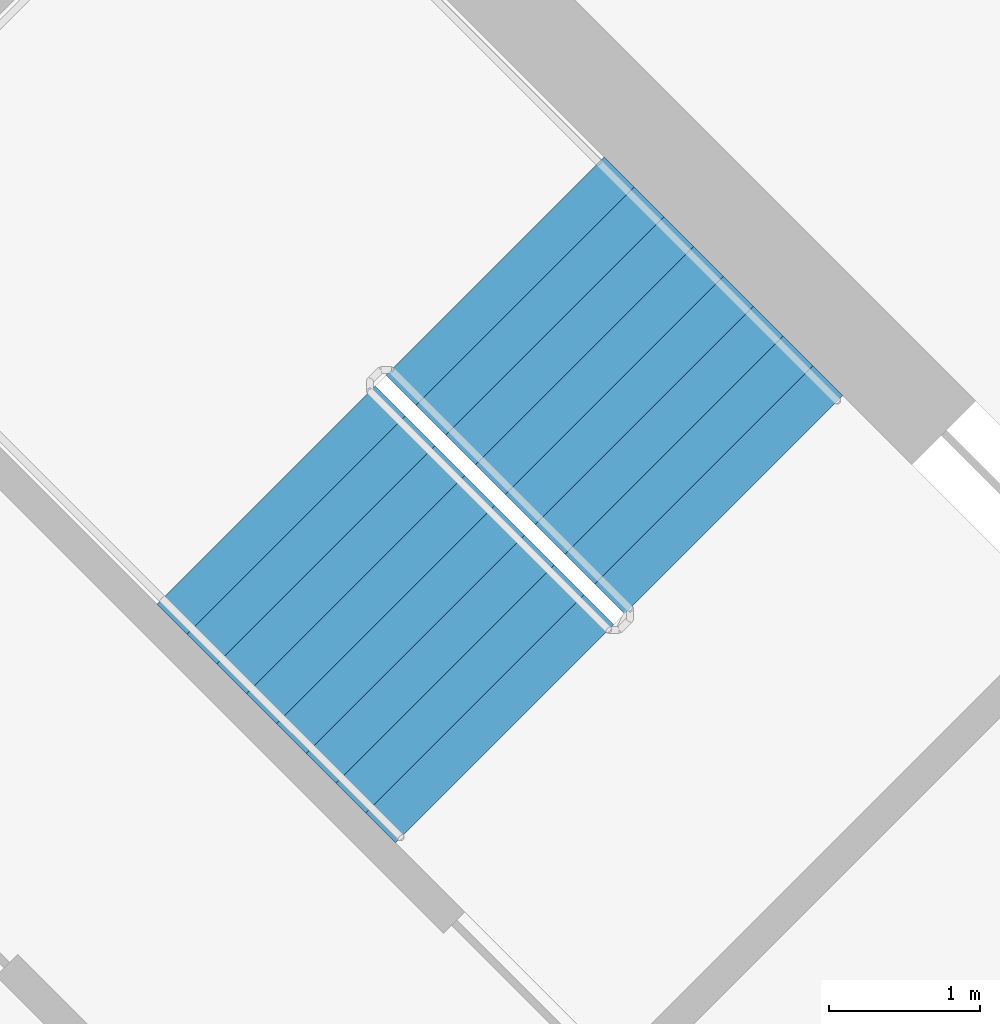
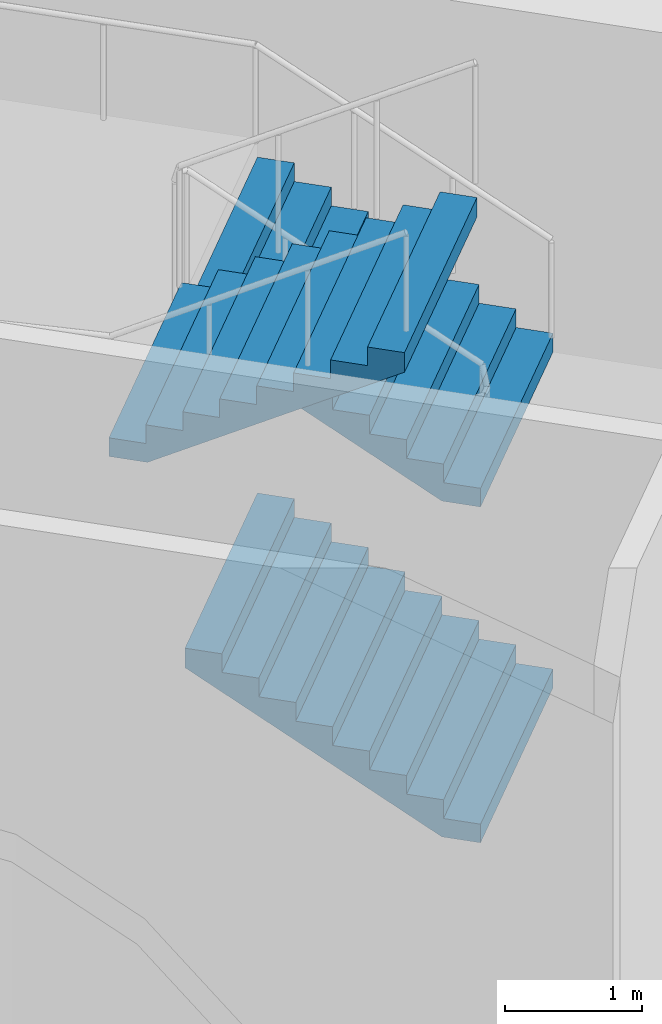
# One storey, part 14 of 16: 3 stair flights, 1 element without a shape of its own.
"""IFC4 building model written with IfcOpenShell, lengths in metres."""

import ifcopenshell
import ifcopenshell.guid

model = None  # the IFC model being written
_history = None  # IfcOwnerHistory: only IFC2X3 demands one
_inside = {}  # id of a spatial element -> (the spatial element, [elements in it])
_under = {}  # id of a project, library or spatial element -> (it, [spatial elements below it])
_declared = {}  # id of a project -> (the project, [libraries it declares])
_typed = {}  # id of a type object -> (the type object, [elements of that type])
_made_of = {}  # id of a material, layer set ... -> (it, [elements and type objects made of it])


def new_model(schema):
    """Start an empty IFC model of exactly this schema.

    Asked for "IFC4X3", IfcOpenShell would pick the latest addendum, in which some entities
    have other attributes; the version numbers below select the first issue.
    IFC2X3 requires an IfcOwnerHistory on every rooted entity: one is made here for all.
    """
    global model, _history
    if schema == "IFC4X3":
        model = ifcopenshell.file(schema_version=(4, 3, 0, 0))
    else:
        model = ifcopenshell.file(schema=schema)
    _inside.clear()
    _under.clear()
    _declared.clear()
    _typed.clear()
    _made_of.clear()
    _history = None
    if model.schema == "IFC2X3":
        org = make("IfcOrganization", Name="unknown")
        user = make(
            "IfcPersonAndOrganization",
            ThePerson=make("IfcPerson", FamilyName="unknown"),
            TheOrganization=org,
        )
        app = make(
            "IfcApplication",
            ApplicationDeveloper=org,
            Version="unknown",
            ApplicationFullName="unknown",
            ApplicationIdentifier="unknown",
        )
        _history = make(
            "IfcOwnerHistory",
            OwningUser=user,
            OwningApplication=app,
            ChangeAction="ADDED",
            CreationDate=0,
        )
    return model


def make(cls, **values):
    """One entity of the class cls with the attributes given. An attribute that is None is left unset."""
    return model.create_entity(
        cls, **{name: value for name, value in values.items() if value is not None}
    )


def rooted(cls, **values):
    """An entity with a GlobalId (a new one), such as an element, a storey or a relation."""
    return make(cls, GlobalId=ifcopenshell.guid.new(), OwnerHistory=_history, **values)


def si_unit(unit_type, name, prefix=None):
    """IfcSIUnit, for example si_unit("LENGTHUNIT", "METRE", prefix="MILLI")."""
    return make("IfcSIUnit", UnitType=unit_type, Prefix=prefix, Name=name)


def assignment(units):
    """IfcUnitAssignment: the units of a project."""
    return None if units is None else make("IfcUnitAssignment", Units=units)


def point(xyz):
    """IfcCartesianPoint."""
    return None if xyz is None else make("IfcCartesianPoint", Coordinates=xyz)


def direction(xyz):
    """IfcDirection."""
    return None if xyz is None else make("IfcDirection", DirectionRatios=xyz)


def frame(location, z_axis=None, x_axis=None):
    """IfcAxis2Placement3D, a coordinate frame: its origin and axes. An axis left out is left unset."""
    return make(
        "IfcAxis2Placement3D",
        Location=point(location),
        Axis=direction(z_axis),
        RefDirection=direction(x_axis),
    )


def origin():
    """The frame at (0, 0, 0) with its axes left unset."""
    return frame((0.0, 0.0, 0.0))


def place(relative_to, where):
    """IfcLocalPlacement: puts the frame where relative to a parent placement (None: the world)."""
    return make(
        "IfcLocalPlacement", PlacementRelTo=relative_to, RelativePlacement=where
    )


def context(
    kind, dimensions, precision=None, world=None, true_north=None, identifier=None
):
    """IfcGeometricRepresentationContext, for example the 3D "Model" context."""
    return make(
        "IfcGeometricRepresentationContext",
        ContextIdentifier=identifier,
        ContextType=kind,
        CoordinateSpaceDimension=dimensions,
        Precision=precision,
        WorldCoordinateSystem=world,
        TrueNorth=true_north,
    )


def subcontext(parent, identifier, kind, view, scale=None):
    """IfcGeometricRepresentationSubContext, for example "Body" below "Model"."""
    return make(
        "IfcGeometricRepresentationSubContext",
        ContextIdentifier=identifier,
        ContextType=kind,
        ParentContext=parent,
        TargetScale=scale,
        TargetView=view,
    )


def project(units=None, contexts=None):
    """IfcProject with its units and contexts."""
    return rooted(
        "IfcProject",
        Name="project",
        RepresentationContexts=contexts,
        UnitsInContext=assignment(units),
    )


def spatial(cls, under=None, at=None, **own):
    """A site, building, storey or space (cls), placed at a placement, below another one or the project."""
    s = rooted(cls, ObjectPlacement=at, **own)
    if under is not None:
        _under.setdefault(under.id(), (under, []))[1].append(s)
    return s


def point_list(points):
    """IfcCartesianPointList2D or 3D."""
    cls = (
        "IfcCartesianPointList2D" if len(points[0]) == 2 else "IfcCartesianPointList3D"
    )
    return make(cls, CoordList=points)


def triangles(points, corners, closed=None, point_numbers=None):
    """IfcTriangulatedFaceSet: each triangle names its three corners, points numbered from 1."""
    return make(
        "IfcTriangulatedFaceSet",
        Coordinates=point_list(points),
        Closed=closed,
        CoordIndex=corners,
        PnIndex=point_numbers,
    )


def shape(context_of_items, identifier, shape_type, items):
    """IfcShapeRepresentation: the items that make up one representation, for example the "Body"."""
    return make(
        "IfcShapeRepresentation",
        ContextOfItems=context_of_items,
        RepresentationIdentifier=identifier,
        RepresentationType=shape_type,
        Items=items,
    )


def material(Name=None, Category=None):
    """IfcMaterial."""
    return make("IfcMaterial", Name=Name, Category=Category)


def made_of(thing, what):
    """Note that an element or type object is made of a material, layer set ...; save() writes the relation."""
    if what is not None:
        _made_of.setdefault(what.id(), (what, []))[1].append(thing)
    return thing


def type_object(cls, material=None, **own):
    """A type object (cls), such as IfcWallType, which elements share."""
    return made_of(rooted(cls, **own), material)


def element(
    cls,
    number,
    at=None,
    inside=None,
    cuts=None,
    type_object=None,
    material=None,
    context=None,
    identifier="Body",
    shape_type=None,
    held_by="IfcProductDefinitionShape",
    body=None,
    shapes=None,
    **own,
):
    """One element of the class cls, such as IfcWall. Its Tag is "e" and its number.

    at: its placement. inside: the storey or other place that contains it. cuts: it is an
    opening in that element (IfcRelVoidsElement). A single representation is given by context,
    identifier, shape_type and body (its items); several are given by shapes. held_by: the class
    of the entity that holds the representations. save() writes the other relations.
    """
    e = rooted(cls, Tag="e%d" % number, ObjectPlacement=at, **own)
    if body is not None:
        shapes = [shape(context, identifier, shape_type, body)]
    if shapes is not None:
        e.Representation = make(held_by, Representations=shapes)
    if inside is not None:
        _inside.setdefault(inside.id(), (inside, []))[1].append(e)
    if cuts is not None:
        rooted(
            "IfcRelVoidsElement", RelatingBuildingElement=cuts, RelatedOpeningElement=e
        )
    if type_object is not None:
        _typed.setdefault(type_object.id(), (type_object, []))[1].append(e)
    return made_of(e, material)


def aggregate(whole, parts):
    """IfcRelAggregates: a whole, such as a stair, and the parts it consists of."""
    return rooted("IfcRelAggregates", RelatingObject=whole, RelatedObjects=parts)


def save(model, path):
    """Write the relations noted so far, then the file.

    IfcRelAggregates (storeys below a building ...), IfcRelContainedInSpatialStructure (elements
    in a storey), IfcRelDefinesByType, IfcRelAssociatesMaterial and IfcRelDeclares: one each for
    every whole, place, type object, material and project.
    """
    for whole, parts in _under.values():
        aggregate(whole, parts)
    for where, things in _inside.values():
        rooted(
            "IfcRelContainedInSpatialStructure",
            RelatedElements=things,
            RelatingStructure=where,
        )
    for kind, things in _typed.values():
        rooted("IfcRelDefinesByType", RelatedObjects=things, RelatingType=kind)
    for what, things in _made_of.values():
        rooted("IfcRelAssociatesMaterial", RelatedObjects=things, RelatingMaterial=what)
    for by, libraries in _declared.values():
        rooted("IfcRelDeclares", RelatingContext=by, RelatedDefinitions=libraries)
    model.write(path)


model = new_model("IFC4")

# Units and contexts
model_context = context("Model", 3, precision=1e-05, world=origin(), true_north=direction((0.0, 1.0)))
body_context = subcontext(model_context, "Body", "Model", "MODEL_VIEW")
ifc_project = project(units=[si_unit("LENGTHUNIT", "METRE"), si_unit("AREAUNIT", "SQUARE_METRE"), si_unit("VOLUMEUNIT", "CUBIC_METRE"), si_unit("PLANEANGLEUNIT", "RADIAN"), si_unit("MASSUNIT", "GRAM", prefix="KILO")], contexts=[model_context])

# Site, building, storey
site_placement = place(None, origin())
site = spatial("IfcSite", under=ifc_project, at=site_placement, CompositionType="ELEMENT")
building_placement = place(site_placement, origin())
building = spatial("IfcBuilding", under=site, at=building_placement, Name="Verdalira Terraces Hotel", CompositionType="ELEMENT")
storey_placement = place(building_placement, frame((0.0, 0.0, 216.0)))
storey = spatial("IfcBuildingStorey", under=building, at=storey_placement, Name="L53", CompositionType="ELEMENT", Elevation=216.0)

# Stair, stair flights
ifc_material_1 = material(Name="Concrete C40", Category="concrete")
stair_type = type_object("IfcStairType", Name="Core stair 36 risers 2050 mm wide", PredefinedType="HALF_TURN_STAIR", material=ifc_material_1)
stair_placement = place(storey_placement, origin())
stair = element("IfcStair", 1, at=stair_placement, inside=storey, type_object=stair_type, Name="L53 Exit stair ST1", PredefinedType="HALF_TURN_STAIR")
ifc_material_2 = material(Name="Concrete C40", Category="concrete")
stair_flight_type = type_object("IfcStairFlightType", Name="Core stair flight 36 risers 2050 mm wide", PredefinedType="STRAIGHT", material=ifc_material_2)
stair_flight_1_placement = place(storey_placement, frame((10.058594, 7.442383, 0.0), z_axis=(0.0, 0.0, 1.0), x_axis=(-0.707106781, 0.707106781, 0.0)))
stair_flight_1 = element("IfcStairFlight", 2, at=stair_flight_1_placement, type_object=stair_flight_type, Name="ST1 flight 1", NumberOfRisers=9, NumberOfTreads=8, PredefinedType="STRAIGHT", RiserHeight=0.166666667, TreadLength=0.28, context=body_context, shape_type="Tessellation", body=[
    triangles([(0.0, 1.025024, 0.0), (0.292969, 1.025024, 0.0), (2.23999, 1.025024, 1.158936), (0.0, -1.025024, 0.0), (0.292969, -1.025024, 0.0), (2.23999, -1.025024, 1.158936), (2.23999, 1.025024, 1.333252), (1.959961, 1.025024, 1.333252), (2.23999, -1.025024, 1.333252), (1.959961, -1.025024, 1.333252), (1.959961, 1.025024, 1.166748), (1.959961, -1.025024, 1.166748), (1.679932, 1.025024, 1.166748), (1.679932, -1.025024, 1.166748), (1.679932, 1.025024, 1.0), (1.679932, -1.025024, 1.0), (1.399902, 1.025024, 1.0), (1.399902, 1.025024, 0.833252), (1.399902, -1.025024, 1.0), (1.399902, -1.025024, 0.833252), (1.120117, 1.025024, 0.833252), (1.120117, 1.025024, 0.666748), (1.120117, -1.025024, 0.833252), (1.120117, -1.025024, 0.666748), (0.840088, 1.025024, 0.666748), (0.840088, 1.025024, 0.5), (0.840088, -1.025024, 0.666748), (0.840088, -1.025024, 0.5), (0.560059, 1.025024, 0.5), (0.560059, 1.025024, 0.333252), (0.560059, -1.025024, 0.5), (0.560059, -1.025024, 0.333252), (0.280029, 1.025024, 0.333252), (0.280029, 1.025024, 0.166748), (0.280029, -1.025024, 0.333252), (0.280029, -1.025024, 0.166748), (0.0, 1.025024, 0.166748), (0.0, -1.025024, 0.166748), (0.0, -0.96096, 0.0), (0.0, -0.96096, 0.166748), (0.0, -0.896896, 0.0), (0.0, -0.896896, 0.166748), (0.0, -0.832832, 0.0), (0.0, -0.832832, 0.166748), (0.0, -0.768768, 0.0), (0.0, -0.768768, 0.166748), (0.0, -0.704704, 0.0), (0.0, -0.704704, 0.166748), (0.0, -0.64064, 0.0), (0.0, -0.64064, 0.166748), (0.0, -0.576576, 0.0), (0.0, -0.576576, 0.166748), (0.0, -0.512512, 0.0), (0.0, -0.512512, 0.166748), (0.0, -0.448448, 0.0), (0.0, -0.448448, 0.166748), (0.0, -0.384384, 0.0), (0.0, -0.384384, 0.166748), (0.0, -0.32032, 0.0), (0.0, -0.32032, 0.166748), (0.0, -0.256256, 0.0), (0.0, -0.256256, 0.166748), (0.0, -0.192192, 0.0), (0.0, -0.192192, 0.166748), (0.0, -0.128128, 0.0), (0.0, -0.128128, 0.166748), (0.0, -0.064064, 0.0), (0.0, -0.064064, 0.166748), (0.0, 0.0, 0.0), (0.0, 0.0, 0.166748), (0.0, 0.064064, 0.0), (0.0, 0.064064, 0.166748), (0.0, 0.128128, 0.0), (0.0, 0.128128, 0.166748), (0.0, 0.192192, 0.0), (0.0, 0.192192, 0.166748), (0.0, 0.256256, 0.0), (0.0, 0.256256, 0.166748), (0.0, 0.32032, 0.0), (0.0, 0.32032, 0.166748), (0.0, 0.384384, 0.0), (0.0, 0.384384, 0.166748), (0.0, 0.448448, 0.0), (0.0, 0.448448, 0.166748), (0.0, 0.512512, 0.0), (0.0, 0.512512, 0.166748), (0.0, 0.576576, 0.0), (0.0, 0.576576, 0.166748), (0.0, 0.64064, 0.0), (0.0, 0.64064, 0.166748), (0.0, 0.704704, 0.0), (0.0, 0.704704, 0.166748), (0.0, 0.768768, 0.0), (0.0, 0.768768, 0.166748), (0.0, 0.832832, 0.0), (0.0, 0.832832, 0.166748), (0.0, 0.896896, 0.0), (0.0, 0.896896, 0.166748), (0.0, 0.96096, 0.0), (0.0, 0.96096, 0.166748), (2.23999, -0.96096, 1.333252), (2.23999, -0.896896, 1.333252), (2.23999, -0.832832, 1.333252), (2.23999, -0.768768, 1.333252), (2.23999, -0.704704, 1.333252), (2.23999, -0.64064, 1.333252), (2.23999, -0.576576, 1.333252), (2.23999, -0.512512, 1.333252), (2.23999, -0.448448, 1.333252), (2.23999, -0.384384, 1.333252), (2.23999, -0.32032, 1.333252), (2.23999, -0.256256, 1.333252), (2.23999, -0.192192, 1.333252), (2.23999, -0.128128, 1.333252), (2.23999, -0.064064, 1.333252), (2.23999, 0.0, 1.333252), (2.23999, 0.064064, 1.333252), (2.23999, 0.128128, 1.333252), (2.23999, 0.192192, 1.333252), (2.23999, 0.256256, 1.333252), (2.23999, 0.32032, 1.333252), (2.23999, 0.384384, 1.333252), (2.23999, 0.448448, 1.333252), (2.23999, 0.512512, 1.333252), (2.23999, 0.576576, 1.333252), (2.23999, 0.64064, 1.333252), (2.23999, 0.704704, 1.333252), (2.23999, 0.768768, 1.333252), (2.23999, 0.832832, 1.333252), (2.23999, 0.896896, 1.333252), (2.23999, 0.96096, 1.333252), (2.23999, -0.96096, 1.158936), (2.23999, -0.896896, 1.158936), (2.23999, -0.832832, 1.158936), (2.23999, -0.768768, 1.158936), (2.23999, -0.704704, 1.158936), (2.23999, -0.64064, 1.158936), (2.23999, -0.576576, 1.158936), (2.23999, -0.512512, 1.158936), (2.23999, -0.448448, 1.158936), (2.23999, -0.384384, 1.158936), (2.23999, -0.32032, 1.158936), (2.23999, -0.256256, 1.158936), (2.23999, -0.192192, 1.158936), (2.23999, -0.128128, 1.158936), (2.23999, -0.064064, 1.158936), (2.23999, 0.0, 1.158936), (2.23999, 0.064064, 1.158936), (2.23999, 0.128128, 1.158936), (2.23999, 0.192192, 1.158936), (2.23999, 0.256256, 1.158936), (2.23999, 0.32032, 1.158936), (2.23999, 0.384384, 1.158936), (2.23999, 0.448448, 1.158936), (2.23999, 0.512512, 1.158936), (2.23999, 0.576576, 1.158936), (2.23999, 0.64064, 1.158936), (2.23999, 0.704704, 1.158936), (2.23999, 0.768768, 1.158936), (2.23999, 0.832832, 1.158936), (2.23999, 0.896896, 1.158936), (2.23999, 0.96096, 1.158936)], [[1, 3, 2], [4, 5, 6], [3, 8, 7], [6, 9, 10], [3, 11, 8], [6, 10, 12], [3, 13, 11], [6, 12, 14], [3, 15, 13], [6, 14, 16], [15, 18, 17], [16, 19, 20], [3, 18, 15], [6, 16, 20], [18, 22, 21], [20, 23, 24], [3, 22, 18], [6, 20, 24], [22, 26, 25], [24, 27, 28], [3, 26, 22], [6, 24, 28], [26, 30, 29], [28, 31, 32], [3, 30, 26], [6, 28, 32], [1, 30, 3], [4, 6, 32], [30, 34, 33], [32, 35, 36], [1, 34, 30], [4, 32, 36], [34, 1, 37], [36, 38, 4], [4, 40, 39], [4, 38, 40], [39, 42, 41], [39, 40, 42], [41, 44, 43], [41, 42, 44], [43, 46, 45], [43, 44, 46], [45, 48, 47], [45, 46, 48], [47, 50, 49], [47, 48, 50], [49, 52, 51], [49, 50, 52], [51, 54, 53], [51, 52, 54], [53, 56, 55], [53, 54, 56], [55, 58, 57], [55, 56, 58], [57, 60, 59], [57, 58, 60], [59, 62, 61], [59, 60, 62], [61, 64, 63], [61, 62, 64], [63, 66, 65], [63, 64, 66], [65, 68, 67], [65, 66, 68], [67, 70, 69], [67, 68, 70], [69, 72, 71], [69, 70, 72], [71, 74, 73], [71, 72, 74], [73, 76, 75], [73, 74, 76], [75, 78, 77], [75, 76, 78], [77, 80, 79], [77, 78, 80], [79, 82, 81], [79, 80, 82], [81, 84, 83], [81, 82, 84], [83, 86, 85], [83, 84, 86], [85, 88, 87], [85, 86, 88], [87, 90, 89], [87, 88, 90], [89, 92, 91], [89, 90, 92], [91, 94, 93], [91, 92, 94], [93, 96, 95], [93, 94, 96], [95, 98, 97], [95, 96, 98], [97, 100, 99], [97, 98, 100], [99, 37, 1], [99, 100, 37], [38, 36, 40], [40, 36, 42], [42, 36, 44], [44, 36, 46], [46, 36, 48], [48, 36, 50], [50, 36, 52], [52, 36, 54], [54, 36, 56], [56, 36, 58], [58, 36, 60], [60, 36, 62], [62, 36, 64], [64, 36, 66], [66, 36, 68], [68, 36, 70], [70, 36, 72], [72, 36, 74], [74, 36, 76], [76, 36, 78], [78, 36, 80], [80, 36, 82], [82, 36, 84], [84, 36, 86], [86, 36, 88], [88, 36, 90], [90, 36, 92], [92, 36, 94], [94, 36, 96], [96, 36, 98], [98, 36, 100], [100, 36, 37], [37, 36, 34], [36, 33, 34], [36, 35, 33], [35, 30, 33], [35, 32, 30], [32, 29, 30], [32, 31, 29], [31, 26, 29], [31, 28, 26], [28, 25, 26], [28, 27, 25], [27, 22, 25], [27, 24, 22], [24, 21, 22], [24, 23, 21], [23, 18, 21], [23, 20, 18], [20, 17, 18], [20, 19, 17], [19, 15, 17], [19, 16, 15], [16, 13, 15], [16, 14, 13], [14, 11, 13], [14, 12, 11], [12, 8, 11], [12, 10, 8], [9, 101, 10], [101, 102, 10], [102, 103, 10], [103, 104, 10], [104, 105, 10], [105, 106, 10], [106, 107, 10], [107, 108, 10], [108, 109, 10], [109, 110, 10], [110, 111, 10], [111, 112, 10], [112, 113, 10], [113, 114, 10], [114, 115, 10], [115, 116, 10], [116, 117, 10], [117, 118, 10], [118, 119, 10], [119, 120, 10], [120, 121, 10], [121, 122, 10], [122, 123, 10], [123, 124, 10], [124, 125, 10], [125, 126, 10], [126, 127, 10], [127, 128, 10], [128, 129, 10], [129, 130, 10], [130, 131, 10], [131, 7, 10], [7, 8, 10], [9, 132, 101], [9, 6, 132], [101, 133, 102], [101, 132, 133], [102, 134, 103], [102, 133, 134], [103, 135, 104], [103, 134, 135], [104, 136, 105], [104, 135, 136], [105, 137, 106], [105, 136, 137], [106, 138, 107], [106, 137, 138], [107, 139, 108], [107, 138, 139], [108, 140, 109], [108, 139, 140], [109, 141, 110], [109, 140, 141], [110, 142, 111], [110, 141, 142], [111, 143, 112], [111, 142, 143], [112, 144, 113], [112, 143, 144], [113, 145, 114], [113, 144, 145], [114, 146, 115], [114, 145, 146], [115, 147, 116], [115, 146, 147], [116, 148, 117], [116, 147, 148], [117, 149, 118], [117, 148, 149], [118, 150, 119], [118, 149, 150], [119, 151, 120], [119, 150, 151], [120, 152, 121], [120, 151, 152], [121, 153, 122], [121, 152, 153], [122, 154, 123], [122, 153, 154], [123, 155, 124], [123, 154, 155], [124, 156, 125], [124, 155, 156], [125, 157, 126], [125, 156, 157], [126, 158, 127], [126, 157, 158], [127, 159, 128], [127, 158, 159], [128, 160, 129], [128, 159, 160], [129, 161, 130], [129, 160, 161], [130, 162, 131], [130, 161, 162], [131, 3, 7], [131, 162, 3], [6, 5, 132], [132, 5, 133], [133, 5, 134], [134, 5, 135], [135, 5, 136], [136, 5, 137], [137, 5, 138], [138, 5, 139], [139, 5, 140], [140, 5, 141], [141, 5, 142], [142, 5, 143], [143, 5, 144], [144, 5, 145], [145, 5, 146], [146, 5, 147], [147, 5, 148], [148, 5, 149], [149, 5, 150], [150, 5, 151], [151, 5, 152], [152, 5, 153], [153, 5, 154], [154, 5, 155], [155, 5, 156], [156, 5, 157], [157, 5, 158], [158, 5, 159], [159, 5, 160], [160, 5, 161], [161, 5, 162], [162, 5, 3], [3, 5, 2], [4, 39, 5], [39, 41, 5], [41, 43, 5], [43, 45, 5], [45, 47, 5], [47, 49, 5], [49, 51, 5], [51, 53, 5], [53, 55, 5], [55, 57, 5], [57, 59, 5], [59, 61, 5], [61, 63, 5], [63, 65, 5], [65, 67, 5], [67, 69, 5], [69, 71, 5], [71, 73, 5], [73, 75, 5], [75, 77, 5], [77, 79, 5], [79, 81, 5], [81, 83, 5], [83, 85, 5], [85, 87, 5], [87, 89, 5], [89, 91, 5], [91, 93, 5], [93, 95, 5], [95, 97, 5], [97, 99, 5], [99, 1, 5], [1, 2, 5]], closed=True),
])
stair_flight_2_placement = place(storey_placement, frame((10.058594, 7.442383, 3.0), z_axis=(0.0, 0.0, 1.0), x_axis=(-0.707106781, 0.707106781, 0.0)))
stair_flight_2 = element("IfcStairFlight", 3, at=stair_flight_2_placement, type_object=stair_flight_type, Name="ST1 flight 3", NumberOfRisers=9, NumberOfTreads=8, PredefinedType="STRAIGHT", RiserHeight=0.166666667, TreadLength=0.28, context=body_context, shape_type="Tessellation", body=[
    triangles([(0.0, 1.025024, 0.0), (0.292969, 1.025024, 0.0), (2.23999, 1.025024, 1.158936), (0.0, -1.025024, 0.0), (0.292969, -1.025024, 0.0), (2.23999, -1.025024, 1.158936), (2.23999, 1.025024, 1.333252), (1.959961, 1.025024, 1.333252), (2.23999, -1.025024, 1.333252), (1.959961, -1.025024, 1.333252), (1.959961, 1.025024, 1.166748), (1.959961, -1.025024, 1.166748), (1.679932, 1.025024, 1.166748), (1.679932, -1.025024, 1.166748), (1.679932, 1.025024, 1.0), (1.679932, -1.025024, 1.0), (1.399902, 1.025024, 1.0), (1.399902, 1.025024, 0.833252), (1.399902, -1.025024, 1.0), (1.399902, -1.025024, 0.833252), (1.120117, 1.025024, 0.833252), (1.120117, 1.025024, 0.666748), (1.120117, -1.025024, 0.833252), (1.120117, -1.025024, 0.666748), (0.840088, 1.025024, 0.666748), (0.840088, 1.025024, 0.5), (0.840088, -1.025024, 0.666748), (0.840088, -1.025024, 0.5), (0.560059, 1.025024, 0.5), (0.560059, 1.025024, 0.333252), (0.560059, -1.025024, 0.5), (0.560059, -1.025024, 0.333252), (0.280029, 1.025024, 0.333252), (0.280029, 1.025024, 0.166748), (0.280029, -1.025024, 0.333252), (0.280029, -1.025024, 0.166748), (0.0, 1.025024, 0.166748), (0.0, -1.025024, 0.166748), (0.0, -0.96096, 0.0), (0.0, -0.96096, 0.166748), (0.0, -0.896896, 0.0), (0.0, -0.896896, 0.166748), (0.0, -0.832832, 0.0), (0.0, -0.832832, 0.166748), (0.0, -0.768768, 0.0), (0.0, -0.768768, 0.166748), (0.0, -0.704704, 0.0), (0.0, -0.704704, 0.166748), (0.0, -0.64064, 0.0), (0.0, -0.64064, 0.166748), (0.0, -0.576576, 0.0), (0.0, -0.576576, 0.166748), (0.0, -0.512512, 0.0), (0.0, -0.512512, 0.166748), (0.0, -0.448448, 0.0), (0.0, -0.448448, 0.166748), (0.0, -0.384384, 0.0), (0.0, -0.384384, 0.166748), (0.0, -0.32032, 0.0), (0.0, -0.32032, 0.166748), (0.0, -0.256256, 0.0), (0.0, -0.256256, 0.166748), (0.0, -0.192192, 0.0), (0.0, -0.192192, 0.166748), (0.0, -0.128128, 0.0), (0.0, -0.128128, 0.166748), (0.0, -0.064064, 0.0), (0.0, -0.064064, 0.166748), (0.0, 0.0, 0.0), (0.0, 0.0, 0.166748), (0.0, 0.064064, 0.0), (0.0, 0.064064, 0.166748), (0.0, 0.128128, 0.0), (0.0, 0.128128, 0.166748), (0.0, 0.192192, 0.0), (0.0, 0.192192, 0.166748), (0.0, 0.256256, 0.0), (0.0, 0.256256, 0.166748), (0.0, 0.32032, 0.0), (0.0, 0.32032, 0.166748), (0.0, 0.384384, 0.0), (0.0, 0.384384, 0.166748), (0.0, 0.448448, 0.0), (0.0, 0.448448, 0.166748), (0.0, 0.512512, 0.0), (0.0, 0.512512, 0.166748), (0.0, 0.576576, 0.0), (0.0, 0.576576, 0.166748), (0.0, 0.64064, 0.0), (0.0, 0.64064, 0.166748), (0.0, 0.704704, 0.0), (0.0, 0.704704, 0.166748), (0.0, 0.768768, 0.0), (0.0, 0.768768, 0.166748), (0.0, 0.832832, 0.0), (0.0, 0.832832, 0.166748), (0.0, 0.896896, 0.0), (0.0, 0.896896, 0.166748), (0.0, 0.96096, 0.0), (0.0, 0.96096, 0.166748), (2.23999, -0.96096, 1.333252), (2.23999, -0.896896, 1.333252), (2.23999, -0.832832, 1.333252), (2.23999, -0.768768, 1.333252), (2.23999, -0.704704, 1.333252), (2.23999, -0.64064, 1.333252), (2.23999, -0.576576, 1.333252), (2.23999, -0.512512, 1.333252), (2.23999, -0.448448, 1.333252), (2.23999, -0.384384, 1.333252), (2.23999, -0.32032, 1.333252), (2.23999, -0.256256, 1.333252), (2.23999, -0.192192, 1.333252), (2.23999, -0.128128, 1.333252), (2.23999, -0.064064, 1.333252), (2.23999, 0.0, 1.333252), (2.23999, 0.064064, 1.333252), (2.23999, 0.128128, 1.333252), (2.23999, 0.192192, 1.333252), (2.23999, 0.256256, 1.333252), (2.23999, 0.32032, 1.333252), (2.23999, 0.384384, 1.333252), (2.23999, 0.448448, 1.333252), (2.23999, 0.512512, 1.333252), (2.23999, 0.576576, 1.333252), (2.23999, 0.64064, 1.333252), (2.23999, 0.704704, 1.333252), (2.23999, 0.768768, 1.333252), (2.23999, 0.832832, 1.333252), (2.23999, 0.896896, 1.333252), (2.23999, 0.96096, 1.333252), (2.23999, -0.96096, 1.158936), (2.23999, -0.896896, 1.158936), (2.23999, -0.832832, 1.158936), (2.23999, -0.768768, 1.158936), (2.23999, -0.704704, 1.158936), (2.23999, -0.64064, 1.158936), (2.23999, -0.576576, 1.158936), (2.23999, -0.512512, 1.158936), (2.23999, -0.448448, 1.158936), (2.23999, -0.384384, 1.158936), (2.23999, -0.32032, 1.158936), (2.23999, -0.256256, 1.158936), (2.23999, -0.192192, 1.158936), (2.23999, -0.128128, 1.158936), (2.23999, -0.064064, 1.158936), (2.23999, 0.0, 1.158936), (2.23999, 0.064064, 1.158936), (2.23999, 0.128128, 1.158936), (2.23999, 0.192192, 1.158936), (2.23999, 0.256256, 1.158936), (2.23999, 0.32032, 1.158936), (2.23999, 0.384384, 1.158936), (2.23999, 0.448448, 1.158936), (2.23999, 0.512512, 1.158936), (2.23999, 0.576576, 1.158936), (2.23999, 0.64064, 1.158936), (2.23999, 0.704704, 1.158936), (2.23999, 0.768768, 1.158936), (2.23999, 0.832832, 1.158936), (2.23999, 0.896896, 1.158936), (2.23999, 0.96096, 1.158936)], [[1, 3, 2], [4, 5, 6], [3, 8, 7], [6, 9, 10], [3, 11, 8], [6, 10, 12], [3, 13, 11], [6, 12, 14], [3, 15, 13], [6, 14, 16], [15, 18, 17], [16, 19, 20], [3, 18, 15], [6, 16, 20], [18, 22, 21], [20, 23, 24], [3, 22, 18], [6, 20, 24], [22, 26, 25], [24, 27, 28], [3, 26, 22], [6, 24, 28], [26, 30, 29], [28, 31, 32], [3, 30, 26], [6, 28, 32], [1, 30, 3], [4, 6, 32], [30, 34, 33], [32, 35, 36], [1, 34, 30], [4, 32, 36], [34, 1, 37], [36, 38, 4], [4, 40, 39], [4, 38, 40], [39, 42, 41], [39, 40, 42], [41, 44, 43], [41, 42, 44], [43, 46, 45], [43, 44, 46], [45, 48, 47], [45, 46, 48], [47, 50, 49], [47, 48, 50], [49, 52, 51], [49, 50, 52], [51, 54, 53], [51, 52, 54], [53, 56, 55], [53, 54, 56], [55, 58, 57], [55, 56, 58], [57, 60, 59], [57, 58, 60], [59, 62, 61], [59, 60, 62], [61, 64, 63], [61, 62, 64], [63, 66, 65], [63, 64, 66], [65, 68, 67], [65, 66, 68], [67, 70, 69], [67, 68, 70], [69, 72, 71], [69, 70, 72], [71, 74, 73], [71, 72, 74], [73, 76, 75], [73, 74, 76], [75, 78, 77], [75, 76, 78], [77, 80, 79], [77, 78, 80], [79, 82, 81], [79, 80, 82], [81, 84, 83], [81, 82, 84], [83, 86, 85], [83, 84, 86], [85, 88, 87], [85, 86, 88], [87, 90, 89], [87, 88, 90], [89, 92, 91], [89, 90, 92], [91, 94, 93], [91, 92, 94], [93, 96, 95], [93, 94, 96], [95, 98, 97], [95, 96, 98], [97, 100, 99], [97, 98, 100], [99, 37, 1], [99, 100, 37], [38, 36, 40], [40, 36, 42], [42, 36, 44], [44, 36, 46], [46, 36, 48], [48, 36, 50], [50, 36, 52], [52, 36, 54], [54, 36, 56], [56, 36, 58], [58, 36, 60], [60, 36, 62], [62, 36, 64], [64, 36, 66], [66, 36, 68], [68, 36, 70], [70, 36, 72], [72, 36, 74], [74, 36, 76], [76, 36, 78], [78, 36, 80], [80, 36, 82], [82, 36, 84], [84, 36, 86], [86, 36, 88], [88, 36, 90], [90, 36, 92], [92, 36, 94], [94, 36, 96], [96, 36, 98], [98, 36, 100], [100, 36, 37], [37, 36, 34], [36, 33, 34], [36, 35, 33], [35, 30, 33], [35, 32, 30], [32, 29, 30], [32, 31, 29], [31, 26, 29], [31, 28, 26], [28, 25, 26], [28, 27, 25], [27, 22, 25], [27, 24, 22], [24, 21, 22], [24, 23, 21], [23, 18, 21], [23, 20, 18], [20, 17, 18], [20, 19, 17], [19, 15, 17], [19, 16, 15], [16, 13, 15], [16, 14, 13], [14, 11, 13], [14, 12, 11], [12, 8, 11], [12, 10, 8], [9, 101, 10], [101, 102, 10], [102, 103, 10], [103, 104, 10], [104, 105, 10], [105, 106, 10], [106, 107, 10], [107, 108, 10], [108, 109, 10], [109, 110, 10], [110, 111, 10], [111, 112, 10], [112, 113, 10], [113, 114, 10], [114, 115, 10], [115, 116, 10], [116, 117, 10], [117, 118, 10], [118, 119, 10], [119, 120, 10], [120, 121, 10], [121, 122, 10], [122, 123, 10], [123, 124, 10], [124, 125, 10], [125, 126, 10], [126, 127, 10], [127, 128, 10], [128, 129, 10], [129, 130, 10], [130, 131, 10], [131, 7, 10], [7, 8, 10], [9, 132, 101], [9, 6, 132], [101, 133, 102], [101, 132, 133], [102, 134, 103], [102, 133, 134], [103, 135, 104], [103, 134, 135], [104, 136, 105], [104, 135, 136], [105, 137, 106], [105, 136, 137], [106, 138, 107], [106, 137, 138], [107, 139, 108], [107, 138, 139], [108, 140, 109], [108, 139, 140], [109, 141, 110], [109, 140, 141], [110, 142, 111], [110, 141, 142], [111, 143, 112], [111, 142, 143], [112, 144, 113], [112, 143, 144], [113, 145, 114], [113, 144, 145], [114, 146, 115], [114, 145, 146], [115, 147, 116], [115, 146, 147], [116, 148, 117], [116, 147, 148], [117, 149, 118], [117, 148, 149], [118, 150, 119], [118, 149, 150], [119, 151, 120], [119, 150, 151], [120, 152, 121], [120, 151, 152], [121, 153, 122], [121, 152, 153], [122, 154, 123], [122, 153, 154], [123, 155, 124], [123, 154, 155], [124, 156, 125], [124, 155, 156], [125, 157, 126], [125, 156, 157], [126, 158, 127], [126, 157, 158], [127, 159, 128], [127, 158, 159], [128, 160, 129], [128, 159, 160], [129, 161, 130], [129, 160, 161], [130, 162, 131], [130, 161, 162], [131, 3, 7], [131, 162, 3], [6, 5, 132], [132, 5, 133], [133, 5, 134], [134, 5, 135], [135, 5, 136], [136, 5, 137], [137, 5, 138], [138, 5, 139], [139, 5, 140], [140, 5, 141], [141, 5, 142], [142, 5, 143], [143, 5, 144], [144, 5, 145], [145, 5, 146], [146, 5, 147], [147, 5, 148], [148, 5, 149], [149, 5, 150], [150, 5, 151], [151, 5, 152], [152, 5, 153], [153, 5, 154], [154, 5, 155], [155, 5, 156], [156, 5, 157], [157, 5, 158], [158, 5, 159], [159, 5, 160], [160, 5, 161], [161, 5, 162], [162, 5, 3], [3, 5, 2], [4, 39, 5], [39, 41, 5], [41, 43, 5], [43, 45, 5], [45, 47, 5], [47, 49, 5], [49, 51, 5], [51, 53, 5], [53, 55, 5], [55, 57, 5], [57, 59, 5], [59, 61, 5], [61, 63, 5], [63, 65, 5], [65, 67, 5], [67, 69, 5], [69, 71, 5], [71, 73, 5], [73, 75, 5], [75, 77, 5], [77, 79, 5], [79, 81, 5], [81, 83, 5], [83, 85, 5], [85, 87, 5], [87, 89, 5], [89, 91, 5], [91, 93, 5], [93, 95, 5], [95, 97, 5], [97, 99, 5], [99, 1, 5], [1, 2, 5]], closed=True),
])
stair_flight_3_placement = place(storey_placement, frame((6.954346, 7.505859, 4.5), z_axis=(0.0, 0.0, 1.0), x_axis=(0.707106781, -0.707106781, 0.0)))
stair_flight_3 = element("IfcStairFlight", 4, at=stair_flight_3_placement, type_object=stair_flight_type, Name="ST1 flight 4", NumberOfRisers=9, NumberOfTreads=8, PredefinedType="STRAIGHT", RiserHeight=0.166666667, TreadLength=0.28, context=body_context, shape_type="Tessellation", body=[
    triangles([(0.0, 1.025024, 0.0), (0.292969, 1.025024, 0.0), (2.23999, 1.025024, 1.158936), (0.0, -1.025024, 0.0), (0.292969, -1.025024, 0.0), (2.23999, -1.025024, 1.158936), (2.23999, 1.025024, 1.333252), (1.959961, 1.025024, 1.333252), (2.23999, -1.025024, 1.333252), (1.959961, -1.025024, 1.333252), (1.959961, 1.025024, 1.166748), (1.959961, -1.025024, 1.166748), (1.679932, 1.025024, 1.166748), (1.679932, -1.025024, 1.166748), (1.679932, 1.025024, 1.0), (1.679932, -1.025024, 1.0), (1.399902, 1.025024, 1.0), (1.399902, 1.025024, 0.833252), (1.399902, -1.025024, 1.0), (1.399902, -1.025024, 0.833252), (1.120117, 1.025024, 0.833252), (1.120117, 1.025024, 0.666748), (1.120117, -1.025024, 0.833252), (1.120117, -1.025024, 0.666748), (0.840088, 1.025024, 0.666748), (0.840088, 1.025024, 0.5), (0.840088, -1.025024, 0.666748), (0.840088, -1.025024, 0.5), (0.560059, 1.025024, 0.5), (0.560059, 1.025024, 0.333252), (0.560059, -1.025024, 0.5), (0.560059, -1.025024, 0.333252), (0.280029, 1.025024, 0.333252), (0.280029, 1.025024, 0.166748), (0.280029, -1.025024, 0.333252), (0.280029, -1.025024, 0.166748), (0.0, 1.025024, 0.166748), (0.0, -1.025024, 0.166748), (0.0, -0.96096, 0.0), (0.0, -0.96096, 0.166748), (0.0, -0.896896, 0.0), (0.0, -0.896896, 0.166748), (0.0, -0.832832, 0.0), (0.0, -0.832832, 0.166748), (0.0, -0.768768, 0.0), (0.0, -0.768768, 0.166748), (0.0, -0.704704, 0.0), (0.0, -0.704704, 0.166748), (0.0, -0.64064, 0.0), (0.0, -0.64064, 0.166748), (0.0, -0.576576, 0.0), (0.0, -0.576576, 0.166748), (0.0, -0.512512, 0.0), (0.0, -0.512512, 0.166748), (0.0, -0.448448, 0.0), (0.0, -0.448448, 0.166748), (0.0, -0.384384, 0.0), (0.0, -0.384384, 0.166748), (0.0, -0.32032, 0.0), (0.0, -0.32032, 0.166748), (0.0, -0.256256, 0.0), (0.0, -0.256256, 0.166748), (0.0, -0.192192, 0.0), (0.0, -0.192192, 0.166748), (0.0, -0.128128, 0.0), (0.0, -0.128128, 0.166748), (0.0, -0.064064, 0.0), (0.0, -0.064064, 0.166748), (0.0, 0.0, 0.0), (0.0, 0.0, 0.166748), (0.0, 0.064064, 0.0), (0.0, 0.064064, 0.166748), (0.0, 0.128128, 0.0), (0.0, 0.128128, 0.166748), (0.0, 0.192192, 0.0), (0.0, 0.192192, 0.166748), (0.0, 0.256256, 0.0), (0.0, 0.256256, 0.166748), (0.0, 0.32032, 0.0), (0.0, 0.32032, 0.166748), (0.0, 0.384384, 0.0), (0.0, 0.384384, 0.166748), (0.0, 0.448448, 0.0), (0.0, 0.448448, 0.166748), (0.0, 0.512512, 0.0), (0.0, 0.512512, 0.166748), (0.0, 0.576576, 0.0), (0.0, 0.576576, 0.166748), (0.0, 0.64064, 0.0), (0.0, 0.64064, 0.166748), (0.0, 0.704704, 0.0), (0.0, 0.704704, 0.166748), (0.0, 0.768768, 0.0), (0.0, 0.768768, 0.166748), (0.0, 0.832832, 0.0), (0.0, 0.832832, 0.166748), (0.0, 0.896896, 0.0), (0.0, 0.896896, 0.166748), (0.0, 0.96096, 0.0), (0.0, 0.96096, 0.166748), (2.23999, -0.96096, 1.333252), (2.23999, -0.896896, 1.333252), (2.23999, -0.832832, 1.333252), (2.23999, -0.768768, 1.333252), (2.23999, -0.704704, 1.333252), (2.23999, -0.64064, 1.333252), (2.23999, -0.576576, 1.333252), (2.23999, -0.512512, 1.333252), (2.23999, -0.448448, 1.333252), (2.23999, -0.384384, 1.333252), (2.23999, -0.32032, 1.333252), (2.23999, -0.256256, 1.333252), (2.23999, -0.192192, 1.333252), (2.23999, -0.128128, 1.333252), (2.23999, -0.064064, 1.333252), (2.23999, 0.0, 1.333252), (2.23999, 0.064064, 1.333252), (2.23999, 0.128128, 1.333252), (2.23999, 0.192192, 1.333252), (2.23999, 0.256256, 1.333252), (2.23999, 0.32032, 1.333252), (2.23999, 0.384384, 1.333252), (2.23999, 0.448448, 1.333252), (2.23999, 0.512512, 1.333252), (2.23999, 0.576576, 1.333252), (2.23999, 0.64064, 1.333252), (2.23999, 0.704704, 1.333252), (2.23999, 0.768768, 1.333252), (2.23999, 0.832832, 1.333252), (2.23999, 0.896896, 1.333252), (2.23999, 0.96096, 1.333252), (2.23999, -0.96096, 1.158936), (2.23999, -0.896896, 1.158936), (2.23999, -0.832832, 1.158936), (2.23999, -0.768768, 1.158936), (2.23999, -0.704704, 1.158936), (2.23999, -0.64064, 1.158936), (2.23999, -0.576576, 1.158936), (2.23999, -0.512512, 1.158936), (2.23999, -0.448448, 1.158936), (2.23999, -0.384384, 1.158936), (2.23999, -0.32032, 1.158936), (2.23999, -0.256256, 1.158936), (2.23999, -0.192192, 1.158936), (2.23999, -0.128128, 1.158936), (2.23999, -0.064064, 1.158936), (2.23999, 0.0, 1.158936), (2.23999, 0.064064, 1.158936), (2.23999, 0.128128, 1.158936), (2.23999, 0.192192, 1.158936), (2.23999, 0.256256, 1.158936), (2.23999, 0.32032, 1.158936), (2.23999, 0.384384, 1.158936), (2.23999, 0.448448, 1.158936), (2.23999, 0.512512, 1.158936), (2.23999, 0.576576, 1.158936), (2.23999, 0.64064, 1.158936), (2.23999, 0.704704, 1.158936), (2.23999, 0.768768, 1.158936), (2.23999, 0.832832, 1.158936), (2.23999, 0.896896, 1.158936), (2.23999, 0.96096, 1.158936)], [[1, 3, 2], [4, 5, 6], [3, 8, 7], [6, 9, 10], [3, 11, 8], [6, 10, 12], [3, 13, 11], [6, 12, 14], [3, 15, 13], [6, 14, 16], [15, 18, 17], [16, 19, 20], [3, 18, 15], [6, 16, 20], [18, 22, 21], [20, 23, 24], [3, 22, 18], [6, 20, 24], [22, 26, 25], [24, 27, 28], [3, 26, 22], [6, 24, 28], [26, 30, 29], [28, 31, 32], [3, 30, 26], [6, 28, 32], [1, 30, 3], [4, 6, 32], [30, 34, 33], [32, 35, 36], [1, 34, 30], [4, 32, 36], [34, 1, 37], [36, 38, 4], [4, 40, 39], [4, 38, 40], [39, 42, 41], [39, 40, 42], [41, 44, 43], [41, 42, 44], [43, 46, 45], [43, 44, 46], [45, 48, 47], [45, 46, 48], [47, 50, 49], [47, 48, 50], [49, 52, 51], [49, 50, 52], [51, 54, 53], [51, 52, 54], [53, 56, 55], [53, 54, 56], [55, 58, 57], [55, 56, 58], [57, 60, 59], [57, 58, 60], [59, 62, 61], [59, 60, 62], [61, 64, 63], [61, 62, 64], [63, 66, 65], [63, 64, 66], [65, 68, 67], [65, 66, 68], [67, 70, 69], [67, 68, 70], [69, 72, 71], [69, 70, 72], [71, 74, 73], [71, 72, 74], [73, 76, 75], [73, 74, 76], [75, 78, 77], [75, 76, 78], [77, 80, 79], [77, 78, 80], [79, 82, 81], [79, 80, 82], [81, 84, 83], [81, 82, 84], [83, 86, 85], [83, 84, 86], [85, 88, 87], [85, 86, 88], [87, 90, 89], [87, 88, 90], [89, 92, 91], [89, 90, 92], [91, 94, 93], [91, 92, 94], [93, 96, 95], [93, 94, 96], [95, 98, 97], [95, 96, 98], [97, 100, 99], [97, 98, 100], [99, 37, 1], [99, 100, 37], [38, 36, 40], [40, 36, 42], [42, 36, 44], [44, 36, 46], [46, 36, 48], [48, 36, 50], [50, 36, 52], [52, 36, 54], [54, 36, 56], [56, 36, 58], [58, 36, 60], [60, 36, 62], [62, 36, 64], [64, 36, 66], [66, 36, 68], [68, 36, 70], [70, 36, 72], [72, 36, 74], [74, 36, 76], [76, 36, 78], [78, 36, 80], [80, 36, 82], [82, 36, 84], [84, 36, 86], [86, 36, 88], [88, 36, 90], [90, 36, 92], [92, 36, 94], [94, 36, 96], [96, 36, 98], [98, 36, 100], [100, 36, 37], [37, 36, 34], [36, 33, 34], [36, 35, 33], [35, 30, 33], [35, 32, 30], [32, 29, 30], [32, 31, 29], [31, 26, 29], [31, 28, 26], [28, 25, 26], [28, 27, 25], [27, 22, 25], [27, 24, 22], [24, 21, 22], [24, 23, 21], [23, 18, 21], [23, 20, 18], [20, 17, 18], [20, 19, 17], [19, 15, 17], [19, 16, 15], [16, 13, 15], [16, 14, 13], [14, 11, 13], [14, 12, 11], [12, 8, 11], [12, 10, 8], [9, 101, 10], [101, 102, 10], [102, 103, 10], [103, 104, 10], [104, 105, 10], [105, 106, 10], [106, 107, 10], [107, 108, 10], [108, 109, 10], [109, 110, 10], [110, 111, 10], [111, 112, 10], [112, 113, 10], [113, 114, 10], [114, 115, 10], [115, 116, 10], [116, 117, 10], [117, 118, 10], [118, 119, 10], [119, 120, 10], [120, 121, 10], [121, 122, 10], [122, 123, 10], [123, 124, 10], [124, 125, 10], [125, 126, 10], [126, 127, 10], [127, 128, 10], [128, 129, 10], [129, 130, 10], [130, 131, 10], [131, 7, 10], [7, 8, 10], [9, 132, 101], [9, 6, 132], [101, 133, 102], [101, 132, 133], [102, 134, 103], [102, 133, 134], [103, 135, 104], [103, 134, 135], [104, 136, 105], [104, 135, 136], [105, 137, 106], [105, 136, 137], [106, 138, 107], [106, 137, 138], [107, 139, 108], [107, 138, 139], [108, 140, 109], [108, 139, 140], [109, 141, 110], [109, 140, 141], [110, 142, 111], [110, 141, 142], [111, 143, 112], [111, 142, 143], [112, 144, 113], [112, 143, 144], [113, 145, 114], [113, 144, 145], [114, 146, 115], [114, 145, 146], [115, 147, 116], [115, 146, 147], [116, 148, 117], [116, 147, 148], [117, 149, 118], [117, 148, 149], [118, 150, 119], [118, 149, 150], [119, 151, 120], [119, 150, 151], [120, 152, 121], [120, 151, 152], [121, 153, 122], [121, 152, 153], [122, 154, 123], [122, 153, 154], [123, 155, 124], [123, 154, 155], [124, 156, 125], [124, 155, 156], [125, 157, 126], [125, 156, 157], [126, 158, 127], [126, 157, 158], [127, 159, 128], [127, 158, 159], [128, 160, 129], [128, 159, 160], [129, 161, 130], [129, 160, 161], [130, 162, 131], [130, 161, 162], [131, 3, 7], [131, 162, 3], [6, 5, 132], [132, 5, 133], [133, 5, 134], [134, 5, 135], [135, 5, 136], [136, 5, 137], [137, 5, 138], [138, 5, 139], [139, 5, 140], [140, 5, 141], [141, 5, 142], [142, 5, 143], [143, 5, 144], [144, 5, 145], [145, 5, 146], [146, 5, 147], [147, 5, 148], [148, 5, 149], [149, 5, 150], [150, 5, 151], [151, 5, 152], [152, 5, 153], [153, 5, 154], [154, 5, 155], [155, 5, 156], [156, 5, 157], [157, 5, 158], [158, 5, 159], [159, 5, 160], [160, 5, 161], [161, 5, 162], [162, 5, 3], [3, 5, 2], [4, 39, 5], [39, 41, 5], [41, 43, 5], [43, 45, 5], [45, 47, 5], [47, 49, 5], [49, 51, 5], [51, 53, 5], [53, 55, 5], [55, 57, 5], [57, 59, 5], [59, 61, 5], [61, 63, 5], [63, 65, 5], [65, 67, 5], [67, 69, 5], [69, 71, 5], [71, 73, 5], [73, 75, 5], [75, 77, 5], [77, 79, 5], [79, 81, 5], [81, 83, 5], [83, 85, 5], [85, 87, 5], [87, 89, 5], [89, 91, 5], [91, 93, 5], [93, 95, 5], [95, 97, 5], [97, 99, 5], [99, 1, 5], [1, 2, 5]], closed=True),
])
aggregate(stair, [stair_flight_1, stair_flight_2, stair_flight_3])

save(model, "model.ifc")
